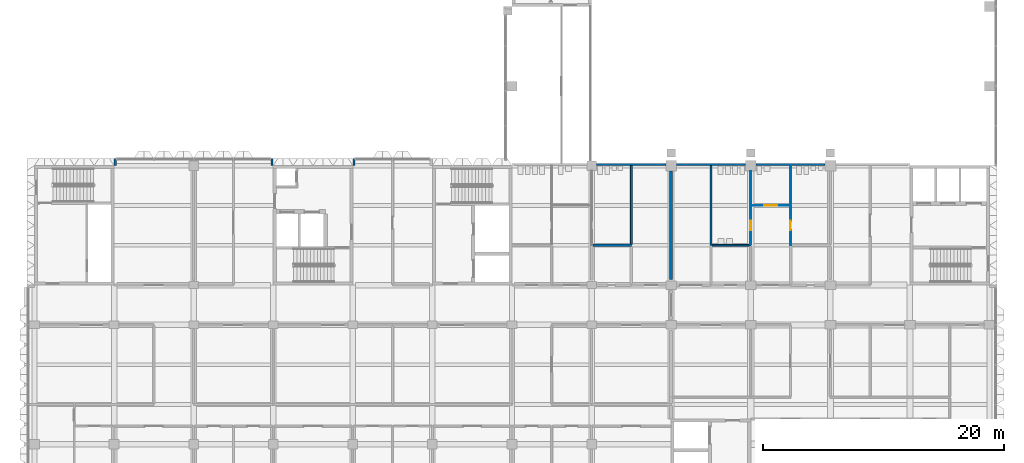
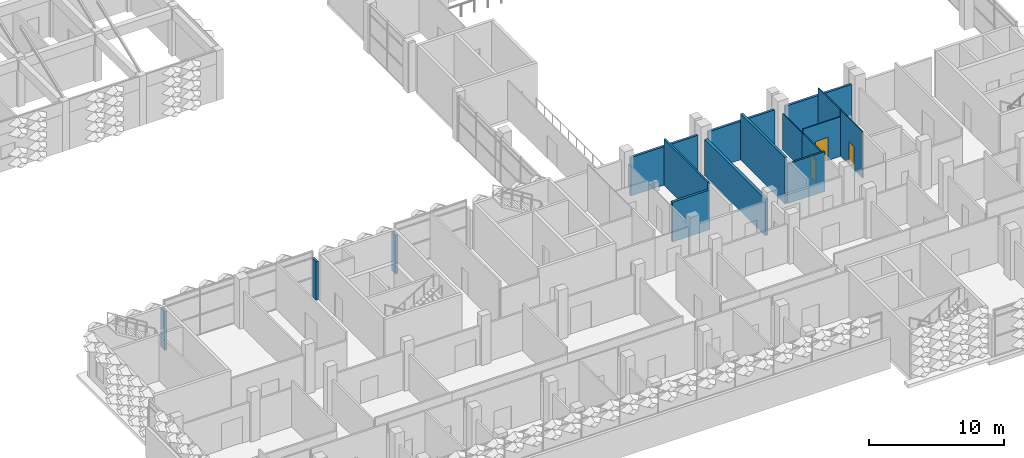
# One storey, part 44 of 102: 16 walls, 3 doors, 3 openings.
"""IFC4 building model written with IfcOpenShell, lengths in metres."""

from ifc_helpers import new_model, si_unit, direction, frame, frame_2d, origin, place, context, subcontext, project, spatial, rectangle, extrude, material, layer, layer_set, type_object, element, fill, save


model = new_model("IFC4")

# Units and contexts
model_context = context("Model", 3, precision=1e-05, world=origin(), true_north=direction((0.0, 1.0)))
body_context = subcontext(model_context, "Body", "Model", "MODEL_VIEW")
ifc_project = project(units=[si_unit("LENGTHUNIT", "METRE"), si_unit("AREAUNIT", "SQUARE_METRE"), si_unit("VOLUMEUNIT", "CUBIC_METRE"), si_unit("PLANEANGLEUNIT", "RADIAN"), si_unit("MASSUNIT", "GRAM", prefix="KILO")], contexts=[model_context])

# Site, building, storey
site_placement = place(None, origin())
site = spatial("IfcSite", under=ifc_project, at=site_placement, CompositionType="ELEMENT")
building_placement = place(site_placement, origin())
building = spatial("IfcBuilding", under=site, at=building_placement, Name="Lantern Court Research Institute", CompositionType="ELEMENT")
storey_placement = place(building_placement, frame((0.0, 0.0, 9.89990234375)))
storey = spatial("IfcBuildingStorey", under=building, at=storey_placement, Name="L02", CompositionType="ELEMENT", Elevation=9.89990234375)

# Walls
ifc_material_1 = material(Name="Fire-rated gypsum board partition, mineral wool filled")
ifc_layer_1 = layer(ifc_material_1, 0.199951171875)
ifc_layer_set_1 = layer_set([ifc_layer_1], Name="Fire-rated gypsum board partition, mineral wool filled")
wall_type_1 = type_object("IfcWallType", Name="Compartment wall 200 EI 120", PredefinedType="PARTITIONING", material=ifc_layer_set_1)
wall_1_placement = place(storey_placement, frame((49.5, 16.5, 0.0), z_axis=(0.0, 0.0, 1.0), x_axis=(-1.0, 0.0, 0.0)))
element("IfcWall", 1, at=wall_1_placement, inside=storey, type_object=wall_type_1, Name="Compartment wall 200 EI 120", PredefinedType="PARTITIONING", context=body_context, shape_type="SweptSolid", body=[
    extrude(rectangle(XDim=3.199951171875, YDim=0.199951171875, at=frame_2d((1.60009765625, 0.0))), origin(), (0.0, 0.0, 1.0), 3.60009765625),
])
wall_2_placement = place(storey_placement, frame((56.10009765625, 16.5, 0.0), z_axis=(0.0, 0.0, 1.0), x_axis=(0.0, 1.0, 0.0)))
element("IfcWall", 2, at=wall_2_placement, inside=storey, type_object=wall_type_1, Name="Compartment wall 200 EI 120", PredefinedType="PARTITIONING", context=body_context, shape_type="SweptSolid", body=[
    extrude(rectangle(XDim=6.60009765625, YDim=0.199951171875, at=frame_2d((3.300048828125, 0.0))), origin(), (0.0, 0.0, 1.0), 4.2001953125),
])
ifc_material_2 = material(Name="Fire-rated gypsum board partition, mineral wool filled")
ifc_layer_2 = layer(ifc_material_2, 0.14990234375)
ifc_layer_set_2 = layer_set([ifc_layer_2], Name="Fire-rated gypsum board partition, mineral wool filled")
wall_type_2 = type_object("IfcWallType", Name="Laboratory partition 150 EI 60", PredefinedType="PARTITIONING", material=ifc_layer_set_2)
wall_3_placement = place(storey_placement, frame((49.5, 16.60009765625, 0.0), z_axis=(0.0, 0.0, 1.0), x_axis=(0.0, 1.0, 0.0)))
element("IfcWall", 3, at=wall_3_placement, inside=storey, type_object=wall_type_2, Name="Laboratory partition 150 EI 60", PredefinedType="PARTITIONING", context=body_context, shape_type="SweptSolid", body=[
    extrude(rectangle(XDim=6.5, YDim=0.14990234375, at=frame_2d((3.25, 0.0))), origin(), (0.0, 0.0, 1.0), 4.2001953125),
])
wall_4_placement = place(storey_placement, frame((59.39990234375, 16.5, 0.0), z_axis=(0.0, 0.0, 1.0), x_axis=(-1.0, 0.0, 0.0)))
element("IfcWall", 4, at=wall_4_placement, inside=storey, type_object=wall_type_2, Name="Laboratory partition 150 EI 60", PredefinedType="PARTITIONING", context=body_context, shape_type="SweptSolid", body=[
    extrude(rectangle(XDim=3.199951171875, YDim=0.14990234375, at=frame_2d((1.60009765625, 0.0))), origin(), (0.0, 0.0, 1.0), 3.60009765625),
])
ifc_material_3 = material(Name="Fire-rated blockwork", Category="masonry")
ifc_layer_3 = layer(ifc_material_3, 0.199951171875)
ifc_layer_set_3 = layer_set([ifc_layer_3], Name="Fire-rated blockwork")
wall_type_3 = type_object("IfcWallType", Name="Party wall 200 mm EI 120", PredefinedType="PARTITIONING", material=ifc_layer_set_3)
wall_5_placement = place(storey_placement, frame((46.60009765625, 23.199951171875, 0.0), z_axis=(0.0, 0.0, 1.0), x_axis=(1.0, 0.0, 0.0)))
element("IfcWall", 5, at=wall_5_placement, inside=storey, type_object=wall_type_3, Name="Wall V2-L02-002", PredefinedType="PARTITIONING", context=body_context, shape_type="SweptSolid", body=[
    extrude(rectangle(XDim=5.75, YDim=0.199951171875, at=frame_2d((2.875, 0.0))), origin(), (0.0, 0.0, 1.0), 3.5),
])
for number, where, z_axis, x_axis, name in (
    (6, (53.25, 23.199951171875, 0.0), (0.0, 0.0, 1.0), (1.0, 0.0, 0.0), "Wall V2-L02-003"),
    (7, (59.85009765625, 23.199951171875, 0.0), (0.0, 0.0, 1.0), (1.0, 0.0, 0.0), "Wall V2-L02-004"),
):
    element("IfcWall", number, at=place(storey_placement, frame(where, z_axis=z_axis, x_axis=x_axis)), inside=storey, type_object=wall_type_3, Name=name, PredefinedType="PARTITIONING", context=body_context, shape_type="SweptSolid", body=[
        extrude(rectangle(XDim=5.699951171875, YDim=0.199951171875, at=frame_2d((2.85009765625, 0.0))), origin(), (0.0, 0.0, 1.0), 3.5),
    ])
ifc_material_4 = material(Name="Fire-rated gypsum board partition, double stud, mineral wool filled")
ifc_layer_4 = layer(ifc_material_4, 0.25)
ifc_layer_set_4 = layer_set([ifc_layer_4], Name="Fire-rated gypsum board partition, double stud, mineral wool filled")
wall_type_4 = type_object("IfcWallType", Name="Plant compartment wall 250 EI 120", PredefinedType="PARTITIONING", material=ifc_layer_set_4)
wall_6_placement = place(storey_placement, frame((52.800048828125, 13.64990234375, 0.0), z_axis=(0.0, 0.0, 1.0), x_axis=(0.0, 1.0, 0.0)))
element("IfcWall", 8, at=wall_6_placement, inside=storey, type_object=wall_type_4, Name="Plant compartment wall 250 EI 120", PredefinedType="PARTITIONING", context=body_context, shape_type="SweptSolid", body=[
    extrude(rectangle(XDim=9.0, YDim=0.25, at=frame_2d((4.5, 0.0))), origin(), (0.0, 0.0, 1.0), 3.300048828125),
])
ifc_material_5 = material(Name="Concrete C40/50", Category="concrete")
ifc_layer_5 = layer(ifc_material_5, 0.199951171875)
ifc_layer_set_5 = layer_set([ifc_layer_5], Name="Concrete C40/50")
wall_type_5 = type_object("IfcWallType", Name="Return wall 200 concrete EI 120 aluminium faced", PredefinedType="STANDARD", material=ifc_layer_set_5)
for number, where, z_axis, x_axis, name in (
    (9, (6.699951171875, 23.10009765625, 0.0), (0.0, 0.0, 1.0), (0.0, 1.0, 0.0), "Core return wall 26"),
    (10, (19.699951171875, 23.10009765625, 0.0), (0.0, 0.0, 1.0), (0.0, 1.0, 0.0), "Core return wall 27"),
    (11, (26.5, 23.10009765625, 0.0), (0.0, 0.0, 1.0), (0.0, 1.0, 0.0), "Core return wall 28"),
):
    element("IfcWall", number, at=place(storey_placement, frame(where, z_axis=z_axis, x_axis=x_axis)), inside=storey, type_object=wall_type_5, Name=name, PredefinedType="STANDARD", context=body_context, shape_type="SweptSolid", body=[
        extrude(rectangle(XDim=0.599853515625, YDim=0.199951171875, at=frame_2d((0.2998046875, 0.0))), origin(), (0.0, 0.0, 1.0), 3.5),
    ])

# Wall, opening, door
ifc_material_6 = material(Name="Gypsum board partition, mineral wool filled")
ifc_layer_6 = layer(ifc_material_6, 0.074951171875)
ifc_layer_set_6 = layer_set([ifc_layer_6], Name="Gypsum board partition, mineral wool filled")
wall_type_6 = type_object("IfcWallType", Name="Wet room partition 75", PredefinedType="PARTITIONING", material=ifc_layer_set_6)
wall_7_placement = place(storey_placement, frame((59.39990234375, 16.574951171875, 0.0), z_axis=(0.0, 0.0, 1.0), x_axis=(0.0, 1.0, 0.0)))
wall_7 = element("IfcWall", 12, at=wall_7_placement, inside=storey, type_object=wall_type_6, Name="Wet room partition 75", PredefinedType="PARTITIONING", context=body_context, shape_type="SweptSolid", body=[
    extrude(rectangle(XDim=3.22509765625, YDim=0.074951171875, at=frame_2d((1.612548828125, 0.0))), origin(), (0.0, 0.0, 1.0), 3.300048828125),
])
opening_1_placement = place(wall_7_placement, frame((1.175048828125, 0.0, 0.0)))
opening_1 = element("IfcOpeningElement", 13, at=opening_1_placement, cuts=wall_7, Name="Opening D5203", PredefinedType="OPENING", context=body_context, shape_type="SweptSolid", body=[
    extrude(rectangle(XDim=0.800048828125, YDim=2.10009765625, at=frame_2d((0.39990234375, 1.050048828125))), frame((0.0, 0.04736328125, 0.0), z_axis=(0.0, -1.0, 0.0), x_axis=(1.0, 0.0, 0.0)), (0.0, 0.0, 1.0), 0.094970703125),
])
ifc_material_7 = material(Name="Solid-core timber door leaf", Category="wood")
ifc_layer_7 = layer(ifc_material_7, 0.0439453125)
ifc_layer_set_7 = layer_set([ifc_layer_7], Name="Solid-core timber door leaf")
door_type_1 = type_object("IfcDoorType", Name="WC door 800 x 2100 single NOT RATED", OperationType="NOTDEFINED", PredefinedType="DOOR", material=ifc_layer_set_7)
door_1_placement = place(opening_1_placement, origin())
door_1 = element("IfcDoor", 14, at=door_1_placement, inside=storey, type_object=door_type_1, Name="Door D5203", OperationType="SINGLE_SWING_LEFT", OverallHeight=2.10009765625, OverallWidth=0.800048828125, PredefinedType="DOOR", context=body_context, shape_type="SweptSolid", body=[
    extrude(rectangle(XDim=0.800048828125, YDim=2.10009765625, at=frame_2d((0.39990234375, 1.050048828125))), frame((0.0, 0.02197265625, 0.0), z_axis=(0.0, -1.0, 0.0), x_axis=(1.0, 0.0, 0.0)), (0.0, 0.0, 1.0), 0.0439453125),
])
fill(opening_1, door_1)

# Wall
wall_8_placement = place(storey_placement, frame((59.39990234375, 19.800048828125, 0.0), z_axis=(0.0, 0.0, 1.0), x_axis=(0.0, 1.0, 0.0)))
element("IfcWall", 15, at=wall_8_placement, inside=storey, type_object=wall_type_6, Name="Wet room partition 75", PredefinedType="PARTITIONING", context=body_context, shape_type="SweptSolid", body=[
    extrude(rectangle(XDim=2.849853515625, YDim=0.074951171875, at=frame_2d((1.4248046875, 0.0))), origin(), (0.0, 0.0, 1.0), 3.300048828125),
])

# Wall, opening, door
wall_9_placement = place(storey_placement, frame((59.4375, 19.800048828125, 0.0), z_axis=(0.0, 0.0, 1.0), x_axis=(1.0, 0.0, 0.0)))
wall_9 = element("IfcWall", 16, at=wall_9_placement, inside=storey, type_object=wall_type_6, Name="Wet room partition 75", PredefinedType="PARTITIONING", context=body_context, shape_type="SweptSolid", body=[
    extrude(rectangle(XDim=3.262451171875, YDim=0.074951171875, at=frame_2d((1.63134765625, 0.0))), origin(), (0.0, 0.0, 1.0), 3.60009765625),
])
opening_2_placement = place(wall_9_placement, frame((1.0625, 0.0, 0.0)))
opening_2 = element("IfcOpeningElement", 17, at=opening_2_placement, cuts=wall_9, Name="Opening D5205", PredefinedType="OPENING", context=body_context, shape_type="SweptSolid", body=[
    extrude(rectangle(XDim=1.10009765625, YDim=2.10009765625, at=frame_2d((0.550048828125, 1.050048828125))), frame((0.0, 0.04736328125, 0.0), z_axis=(0.0, -1.0, 0.0), x_axis=(1.0, 0.0, 0.0)), (0.0, 0.0, 1.0), 0.094970703125),
])
ifc_material_8 = material(Name="Solid-core timber door leaf", Category="wood")
ifc_layer_8 = layer(ifc_material_8, 0.0439453125)
ifc_layer_set_8 = layer_set([ifc_layer_8], Name="Solid-core timber door leaf")
door_type_2 = type_object("IfcDoorType", Name="Accessible WC door 1100 x 2100 single NOT RATED", OperationType="NOTDEFINED", PredefinedType="DOOR", material=ifc_layer_set_8)
door_2_placement = place(opening_2_placement, origin())
door_2 = element("IfcDoor", 18, at=door_2_placement, inside=storey, type_object=door_type_2, Name="Door D5205", OperationType="SINGLE_SWING_RIGHT", OverallHeight=2.10009765625, OverallWidth=1.10009765625, PredefinedType="DOOR", context=body_context, shape_type="SweptSolid", body=[
    extrude(rectangle(XDim=1.10009765625, YDim=2.10009765625, at=frame_2d((0.550048828125, 1.050048828125))), frame((0.0, 0.02197265625, 0.0), z_axis=(0.0, -1.0, 0.0), x_axis=(1.0, 0.0, 0.0)), (0.0, 0.0, 1.0), 0.0439453125),
])
fill(opening_2, door_2)

wall_10_placement = place(storey_placement, frame((62.699951171875, 19.762451171875, 0.0), z_axis=(0.0, 0.0, 1.0), x_axis=(0.0, -1.0, 0.0)))
wall_10 = element("IfcWall", 19, at=wall_10_placement, inside=storey, type_object=wall_type_6, Name="Wet room partition 75", PredefinedType="PARTITIONING", context=body_context, shape_type="SweptSolid", body=[
    extrude(rectangle(XDim=3.262451171875, YDim=0.074951171875, at=frame_2d((1.63134765625, 0.0))), origin(), (0.0, 0.0, 1.0), 4.2001953125),
])
opening_3_placement = place(wall_10_placement, frame((1.21240234375, 0.0, 0.0)))
opening_3 = element("IfcOpeningElement", 20, at=opening_3_placement, cuts=wall_10, Name="Opening D5207", PredefinedType="OPENING", context=body_context, shape_type="SweptSolid", body=[
    extrude(rectangle(XDim=0.800048828125, YDim=2.10009765625, at=frame_2d((0.39990234375, 1.050048828125))), frame((0.0, 0.04736328125, 0.0), z_axis=(0.0, -1.0, 0.0), x_axis=(1.0, 0.0, 0.0)), (0.0, 0.0, 1.0), 0.094970703125),
])
door_3_placement = place(opening_3_placement, origin())
door_3 = element("IfcDoor", 21, at=door_3_placement, inside=storey, type_object=door_type_1, Name="Door D5207", OperationType="SINGLE_SWING_RIGHT", OverallHeight=2.10009765625, OverallWidth=0.800048828125, PredefinedType="DOOR", context=body_context, shape_type="SweptSolid", body=[
    extrude(rectangle(XDim=0.800048828125, YDim=2.10009765625, at=frame_2d((0.39990234375, 1.050048828125))), frame((0.0, 0.02197265625, 0.0), z_axis=(0.0, -1.0, 0.0), x_axis=(1.0, 0.0, 0.0)), (0.0, 0.0, 1.0), 0.0439453125),
])
fill(opening_3, door_3)

# Wall
wall_11_placement = place(storey_placement, frame((62.699951171875, 19.83740234375, 0.0), z_axis=(0.0, 0.0, 1.0), x_axis=(0.0, 1.0, 0.0)))
element("IfcWall", 22, at=wall_11_placement, inside=storey, type_object=wall_type_6, Name="Wet room partition 75", PredefinedType="PARTITIONING", context=body_context, shape_type="SweptSolid", body=[
    extrude(rectangle(XDim=3.2626953125, YDim=0.074951171875, at=frame_2d((1.63134765625, 0.0))), origin(), (0.0, 0.0, 1.0), 4.2001953125),
])

save(model, "model.ifc")
